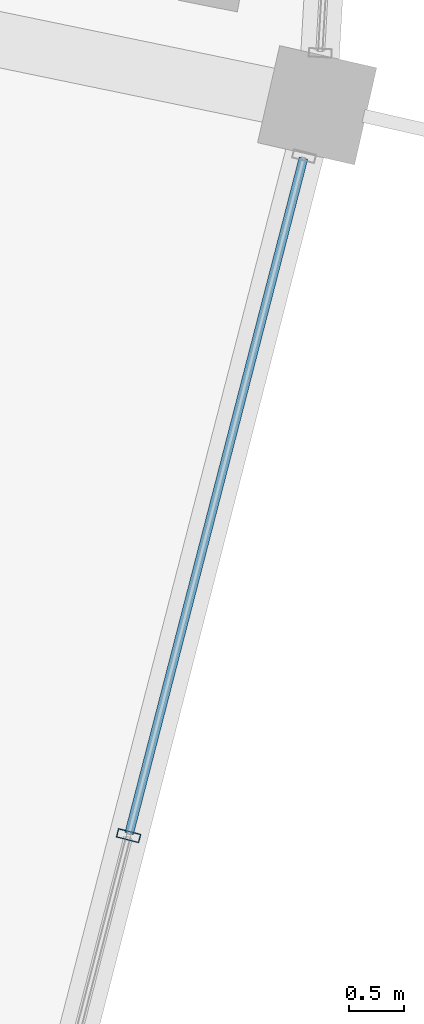
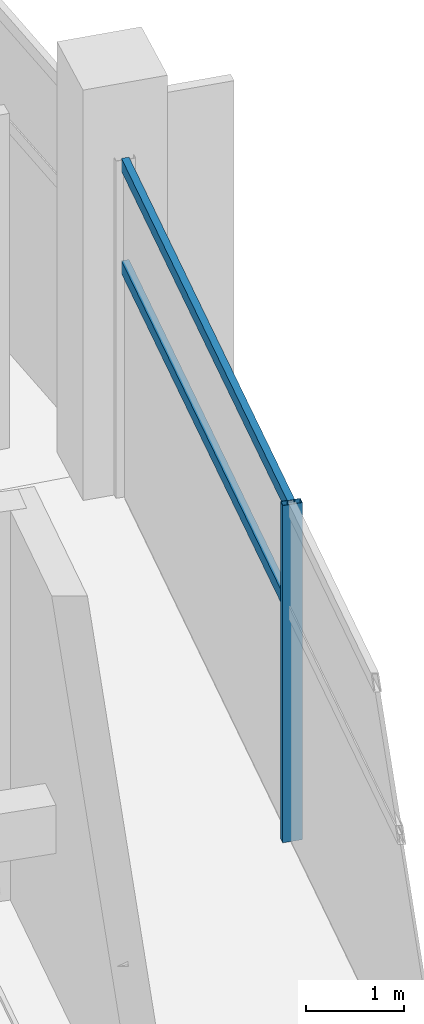
# One storey, part 78 of 184: 3 members, 1 element without a shape of its own.
"""IFC4 building model written with IfcOpenShell, lengths in metres."""

import ifcopenshell
import ifcopenshell.guid

model = None  # the IFC model being written
_history = None  # IfcOwnerHistory: only IFC2X3 demands one
_inside = {}  # id of a spatial element -> (the spatial element, [elements in it])
_under = {}  # id of a project, library or spatial element -> (it, [spatial elements below it])
_declared = {}  # id of a project -> (the project, [libraries it declares])
_typed = {}  # id of a type object -> (the type object, [elements of that type])
_made_of = {}  # id of a material, layer set ... -> (it, [elements and type objects made of it])


def new_model(schema):
    """Start an empty IFC model of exactly this schema.

    Asked for "IFC4X3", IfcOpenShell would pick the latest addendum, in which some entities
    have other attributes; the version numbers below select the first issue.
    IFC2X3 requires an IfcOwnerHistory on every rooted entity: one is made here for all.
    """
    global model, _history
    if schema == "IFC4X3":
        model = ifcopenshell.file(schema_version=(4, 3, 0, 0))
    else:
        model = ifcopenshell.file(schema=schema)
    _inside.clear()
    _under.clear()
    _declared.clear()
    _typed.clear()
    _made_of.clear()
    _history = None
    if model.schema == "IFC2X3":
        org = make("IfcOrganization", Name="unknown")
        user = make(
            "IfcPersonAndOrganization",
            ThePerson=make("IfcPerson", FamilyName="unknown"),
            TheOrganization=org,
        )
        app = make(
            "IfcApplication",
            ApplicationDeveloper=org,
            Version="unknown",
            ApplicationFullName="unknown",
            ApplicationIdentifier="unknown",
        )
        _history = make(
            "IfcOwnerHistory",
            OwningUser=user,
            OwningApplication=app,
            ChangeAction="ADDED",
            CreationDate=0,
        )
    return model


def make(cls, **values):
    """One entity of the class cls with the attributes given. An attribute that is None is left unset."""
    return model.create_entity(
        cls, **{name: value for name, value in values.items() if value is not None}
    )


def rooted(cls, **values):
    """An entity with a GlobalId (a new one), such as an element, a storey or a relation."""
    return make(cls, GlobalId=ifcopenshell.guid.new(), OwnerHistory=_history, **values)


def si_unit(unit_type, name, prefix=None):
    """IfcSIUnit, for example si_unit("LENGTHUNIT", "METRE", prefix="MILLI")."""
    return make("IfcSIUnit", UnitType=unit_type, Prefix=prefix, Name=name)


def assignment(units):
    """IfcUnitAssignment: the units of a project."""
    return None if units is None else make("IfcUnitAssignment", Units=units)


def point(xyz):
    """IfcCartesianPoint."""
    return None if xyz is None else make("IfcCartesianPoint", Coordinates=xyz)


def direction(xyz):
    """IfcDirection."""
    return None if xyz is None else make("IfcDirection", DirectionRatios=xyz)


def frame(location, z_axis=None, x_axis=None):
    """IfcAxis2Placement3D, a coordinate frame: its origin and axes. An axis left out is left unset."""
    return make(
        "IfcAxis2Placement3D",
        Location=point(location),
        Axis=direction(z_axis),
        RefDirection=direction(x_axis),
    )


def frame_2d(location, x_axis=None):
    """IfcAxis2Placement2D, a coordinate frame in the plane: its origin and x axis."""
    return make(
        "IfcAxis2Placement2D", Location=point(location), RefDirection=direction(x_axis)
    )


def origin():
    """The frame at (0, 0, 0) with its axes left unset."""
    return frame((0.0, 0.0, 0.0))


def origin_2d():
    """The frame at (0, 0) in the plane with its x axis left unset."""
    return frame_2d((0.0, 0.0))


def place(relative_to, where):
    """IfcLocalPlacement: puts the frame where relative to a parent placement (None: the world)."""
    return make(
        "IfcLocalPlacement", PlacementRelTo=relative_to, RelativePlacement=where
    )


def context(
    kind, dimensions, precision=None, world=None, true_north=None, identifier=None
):
    """IfcGeometricRepresentationContext, for example the 3D "Model" context."""
    return make(
        "IfcGeometricRepresentationContext",
        ContextIdentifier=identifier,
        ContextType=kind,
        CoordinateSpaceDimension=dimensions,
        Precision=precision,
        WorldCoordinateSystem=world,
        TrueNorth=true_north,
    )


def subcontext(parent, identifier, kind, view, scale=None):
    """IfcGeometricRepresentationSubContext, for example "Body" below "Model"."""
    return make(
        "IfcGeometricRepresentationSubContext",
        ContextIdentifier=identifier,
        ContextType=kind,
        ParentContext=parent,
        TargetScale=scale,
        TargetView=view,
    )


def project(units=None, contexts=None):
    """IfcProject with its units and contexts."""
    return rooted(
        "IfcProject",
        Name="project",
        RepresentationContexts=contexts,
        UnitsInContext=assignment(units),
    )


def spatial(cls, under=None, at=None, **own):
    """A site, building, storey or space (cls), placed at a placement, below another one or the project."""
    s = rooted(cls, ObjectPlacement=at, **own)
    if under is not None:
        _under.setdefault(under.id(), (under, []))[1].append(s)
    return s


def profile(cls, at=None, kind="AREA", **sizes):
    """A parametric profile (cls). Its sizes go by their IFC names, for example OverallWidth=200.0."""
    return make(cls, ProfileType=kind, Position=at, **sizes)


def hollow_rectangle(**sizes):
    """IfcRectangleHollowProfileDef."""
    return profile("IfcRectangleHollowProfileDef", **sizes)


def extrude(swept, where, along, depth):
    """IfcExtrudedAreaSolid: the profile swept, set in the frame where, extruded along a direction by depth."""
    return make(
        "IfcExtrudedAreaSolid",
        SweptArea=swept,
        Position=where,
        ExtrudedDirection=direction(along),
        Depth=depth,
    )


def shape(context_of_items, identifier, shape_type, items):
    """IfcShapeRepresentation: the items that make up one representation, for example the "Body"."""
    return make(
        "IfcShapeRepresentation",
        ContextOfItems=context_of_items,
        RepresentationIdentifier=identifier,
        RepresentationType=shape_type,
        Items=items,
    )


def material(Name=None, Category=None):
    """IfcMaterial."""
    return make("IfcMaterial", Name=Name, Category=Category)


def layer(
    of_material, thickness, ventilated=None, Name=None, Category=None, Priority=None
):
    """IfcMaterialLayer: one layer of a wall or slab, of a material (None: an air gap)."""
    return make(
        "IfcMaterialLayer",
        Material=of_material,
        LayerThickness=thickness,
        IsVentilated=ventilated,
        Name=Name,
        Category=Category,
        Priority=Priority,
    )


def layer_set(layers, Name=None):
    """IfcMaterialLayerSet."""
    return make("IfcMaterialLayerSet", MaterialLayers=layers, LayerSetName=Name)


def material_profile(
    of_material, cross_section, Name=None, Category=None, Priority=None
):
    """IfcMaterialProfile: a cross section and its material."""
    return make(
        "IfcMaterialProfile",
        Name=Name,
        Material=of_material,
        Profile=cross_section,
        Priority=Priority,
        Category=Category,
    )


def profile_set(profiles, Name=None, composite=None):
    """IfcMaterialProfileSet."""
    return make(
        "IfcMaterialProfileSet",
        Name=Name,
        MaterialProfiles=profiles,
        CompositeProfile=composite,
    )


def made_of(thing, what):
    """Note that an element or type object is made of a material, layer set ...; save() writes the relation."""
    if what is not None:
        _made_of.setdefault(what.id(), (what, []))[1].append(thing)
    return thing


def type_object(cls, material=None, **own):
    """A type object (cls), such as IfcWallType, which elements share."""
    return made_of(rooted(cls, **own), material)


def element(
    cls,
    number,
    at=None,
    inside=None,
    cuts=None,
    type_object=None,
    material=None,
    context=None,
    identifier="Body",
    shape_type=None,
    held_by="IfcProductDefinitionShape",
    body=None,
    shapes=None,
    **own,
):
    """One element of the class cls, such as IfcWall. Its Tag is "e" and its number.

    at: its placement. inside: the storey or other place that contains it. cuts: it is an
    opening in that element (IfcRelVoidsElement). A single representation is given by context,
    identifier, shape_type and body (its items); several are given by shapes. held_by: the class
    of the entity that holds the representations. save() writes the other relations.
    """
    e = rooted(cls, Tag="e%d" % number, ObjectPlacement=at, **own)
    if body is not None:
        shapes = [shape(context, identifier, shape_type, body)]
    if shapes is not None:
        e.Representation = make(held_by, Representations=shapes)
    if inside is not None:
        _inside.setdefault(inside.id(), (inside, []))[1].append(e)
    if cuts is not None:
        rooted(
            "IfcRelVoidsElement", RelatingBuildingElement=cuts, RelatedOpeningElement=e
        )
    if type_object is not None:
        _typed.setdefault(type_object.id(), (type_object, []))[1].append(e)
    return made_of(e, material)


def aggregate(whole, parts):
    """IfcRelAggregates: a whole, such as a stair, and the parts it consists of."""
    return rooted("IfcRelAggregates", RelatingObject=whole, RelatedObjects=parts)


def save(model, path):
    """Write the relations noted so far, then the file.

    IfcRelAggregates (storeys below a building ...), IfcRelContainedInSpatialStructure (elements
    in a storey), IfcRelDefinesByType, IfcRelAssociatesMaterial and IfcRelDeclares: one each for
    every whole, place, type object, material and project.
    """
    for whole, parts in _under.values():
        aggregate(whole, parts)
    for where, things in _inside.values():
        rooted(
            "IfcRelContainedInSpatialStructure",
            RelatedElements=things,
            RelatingStructure=where,
        )
    for kind, things in _typed.values():
        rooted("IfcRelDefinesByType", RelatedObjects=things, RelatingType=kind)
    for what, things in _made_of.values():
        rooted("IfcRelAssociatesMaterial", RelatedObjects=things, RelatingMaterial=what)
    for by, libraries in _declared.values():
        rooted("IfcRelDeclares", RelatingContext=by, RelatedDefinitions=libraries)
    model.write(path)


model = new_model("IFC4")

# Units and contexts
model_context = context("Model", 3, precision=1e-05, world=origin(), true_north=direction((0.0, 1.0)))
body_context = subcontext(model_context, "Body", "Model", "MODEL_VIEW")
ifc_project = project(units=[si_unit("LENGTHUNIT", "METRE"), si_unit("AREAUNIT", "SQUARE_METRE"), si_unit("VOLUMEUNIT", "CUBIC_METRE"), si_unit("PLANEANGLEUNIT", "RADIAN"), si_unit("MASSUNIT", "GRAM", prefix="KILO")], contexts=[model_context])

# Site, building, storey
site_placement = place(None, origin())
site = spatial("IfcSite", under=ifc_project, at=site_placement, CompositionType="ELEMENT")
building_placement = place(site_placement, origin())
building = spatial("IfcBuilding", under=site, at=building_placement, Name="Kazemori Nagisa Stadium", CompositionType="ELEMENT")
storey_placement = place(building_placement, frame((0.0, 0.0, 10.5400390625)))
storey = spatial("IfcBuildingStorey", under=building, at=storey_placement, Name="L02", CompositionType="ELEMENT", Elevation=10.5400390625)

# Curtain wall, members
ifc_material_1 = material(Name="Anodised aluminium 6063-T5", Category="aluminium")
ifc_layer = layer(ifc_material_1, 0.2099609375, Name="Anodised aluminium 6063-T5", Category="aluminium")
ifc_layer_set = layer_set([ifc_layer], Name="Anodised aluminium 6063-T5")
curtain_wall_type = type_object("IfcCurtainWallType", Name="CW_L02R3_96", PredefinedType="USERDEFINED", material=ifc_layer_set)
curtain_wall_placement = place(storey_placement, origin())
curtain_wall = element("IfcCurtainWall", 1, at=curtain_wall_placement, inside=storey, type_object=curtain_wall_type, Name="Unitised curtain wall CW-L02R3-96 L02", ObjectType="UNITISED CURTAIN WALL", PredefinedType="USERDEFINED")
ifc_material_2 = material(Name="Aluminium 6063-T5 anodised", Category="aluminium")
ifc_material_profile_1 = material_profile(ifc_material_2, hollow_rectangle(XDim=0.080078125, YDim=0.2099609375, WallThickness=0.0048828125, at=origin_2d()), Name="ALU-MULL-80x210x5")
ifc_profile_set_1 = profile_set([ifc_material_profile_1], Name="Aluminium 6063-T5 anodised")
member_type_1 = type_object("IfcMemberType", Name="Mullion_M02", PredefinedType="MULLION", material=ifc_profile_set_1)
member_1_placement = place(storey_placement, frame((215.176025390625, 75.998291015625, 0.0), z_axis=(0.0, 0.0, 1.0), x_axis=(0.249964642418, 0.968254965152, 0.0)))
member_1 = element("IfcMember", 2, at=member_1_placement, type_object=member_type_1, Name="Curtain wall mullion CW-L02R3-96-M3", PredefinedType="MULLION", context=body_context, shape_type="SweptSolid", body=[
    extrude(hollow_rectangle(XDim=0.080078125, YDim=0.2099609375, WallThickness=0.0048828125, at=origin_2d()), origin(), (0.0, 0.0, 1.0), 4.18994140625),
])
ifc_material_profile_2 = material_profile(ifc_material_2, hollow_rectangle(XDim=0.080078125, YDim=0.159912109375, WallThickness=0.00390625, at=origin_2d()), Name="ALU-TRAN-80x160x4")
ifc_profile_set_2 = profile_set([ifc_material_profile_2], Name="Aluminium 6063-T5 anodised")
member_type_2 = type_object("IfcMemberType", Name="Transom_T02", PredefinedType="USERDEFINED", material=ifc_profile_set_2)
member_2_placement = place(storey_placement, frame((215.180908203125, 76.017822265625, 2.84912109375), z_axis=(0.249971699633, 0.968253143234, 0.0), x_axis=(-0.968253143234, 0.249971699633, 0.0)))
member_2 = element("IfcMember", 3, at=member_2_placement, type_object=member_type_2, Name="Curtain wall transom CW-L02R3-96-T3-mid", ObjectType="TRANSOM", PredefinedType="USERDEFINED", context=body_context, shape_type="SweptSolid", body=[
    extrude(hollow_rectangle(XDim=0.080078125, YDim=0.159912109375, WallThickness=0.00390625, at=origin_2d()), origin(), (0.0, 0.0, 1.0), 6.305419921875),
])
member_3_placement = place(storey_placement, frame((215.180908203125, 76.017822265625, 4.119873046875), z_axis=(0.249971699633, 0.968253143234, 0.0), x_axis=(-0.968253143234, 0.249971699633, 0.0)))
member_3 = element("IfcMember", 4, at=member_3_placement, type_object=member_type_2, Name="Curtain wall transom CW-L02R3-96-T3-head", ObjectType="TRANSOM", PredefinedType="USERDEFINED", context=body_context, shape_type="SweptSolid", body=[
    extrude(hollow_rectangle(XDim=0.080078125, YDim=0.159912109375, WallThickness=0.00390625, at=origin_2d()), origin(), (0.0, 0.0, 1.0), 6.305419921875),
])
aggregate(curtain_wall, [member_1, member_2, member_3])

save(model, "model.ifc")
